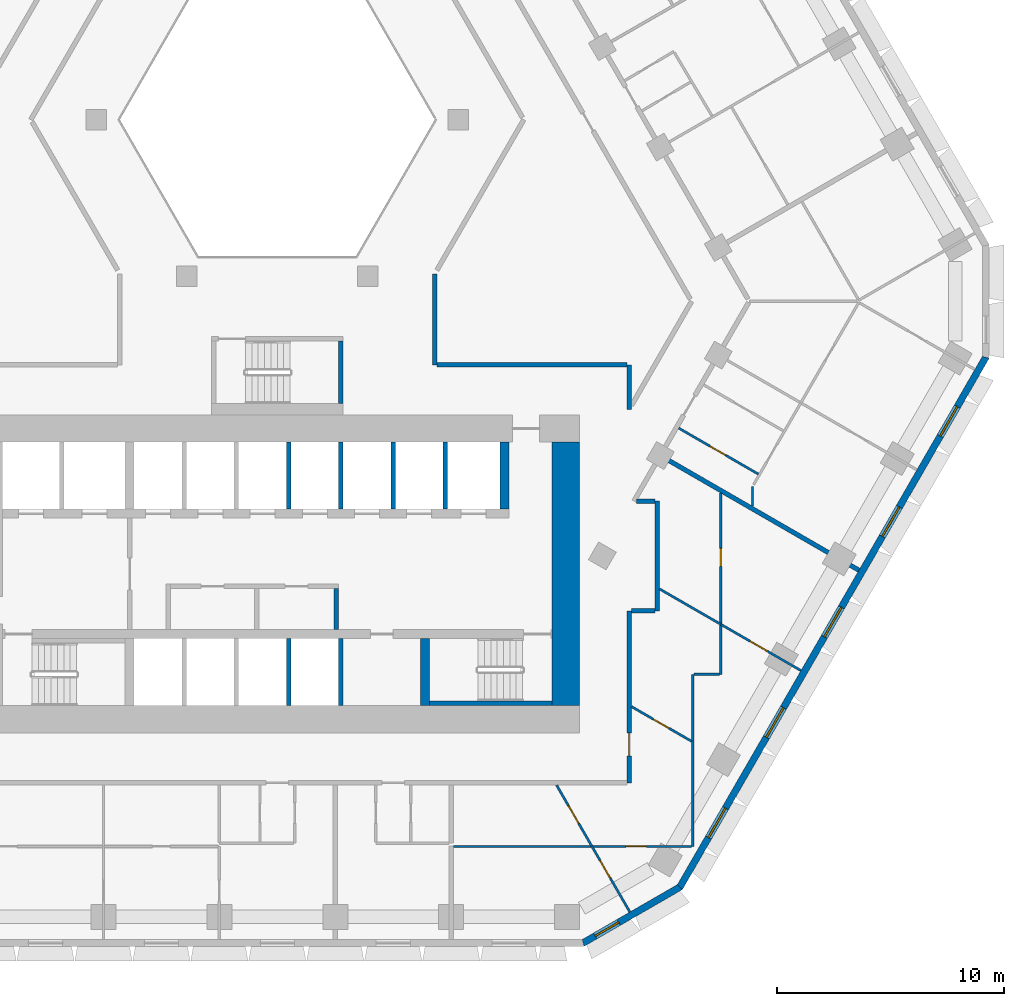
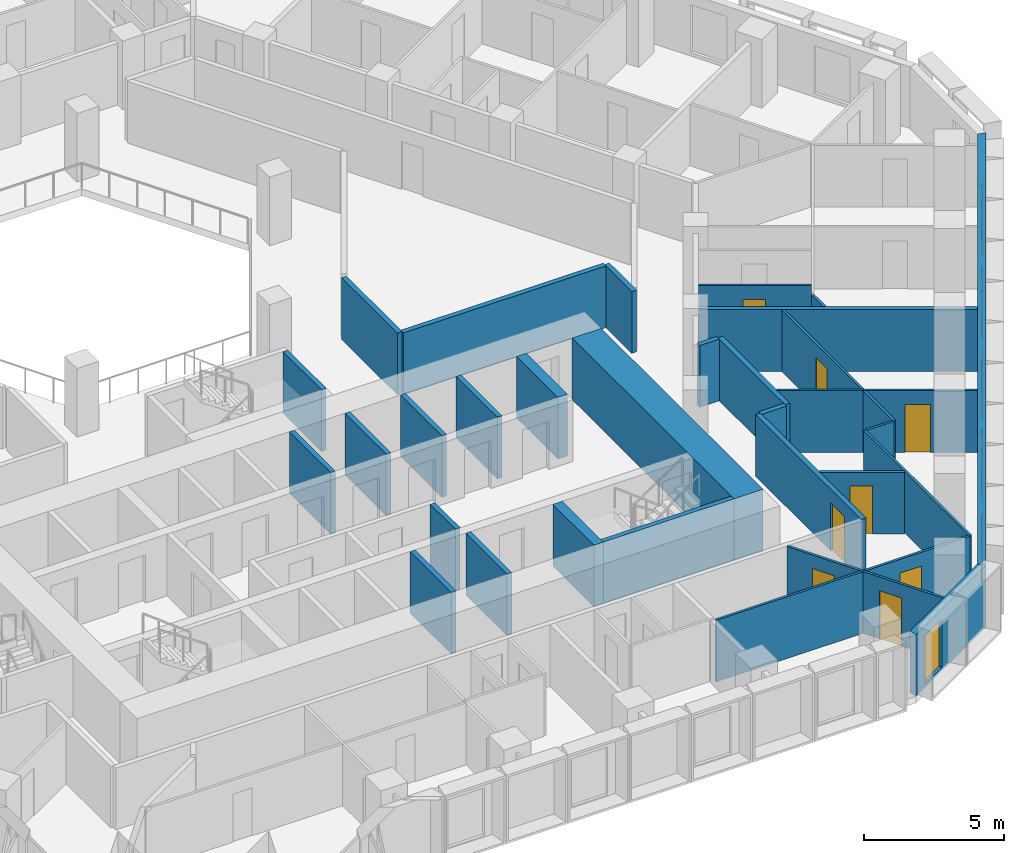
# One storey, part 6 of 16: 33 walls, 8 doors, 6 windows, 14 openings.
"""IFC4 building model written with IfcOpenShell, lengths in metres."""

from ifc_helpers import new_model, si_unit, direction, frame, frame_2d, origin, place, context, subcontext, project, spatial, polyline, rectangle, outline, extrude, material, layer, layer_set, type_object, element, fill, save


model = new_model("IFC4")

# Units and contexts
model_context = context("Model", 3, precision=1e-05, world=origin(), true_north=direction((0.0, 1.0)))
body_context = subcontext(model_context, "Body", "Model", "MODEL_VIEW")
ifc_project = project(units=[si_unit("LENGTHUNIT", "METRE"), si_unit("AREAUNIT", "SQUARE_METRE"), si_unit("VOLUMEUNIT", "CUBIC_METRE"), si_unit("PLANEANGLEUNIT", "RADIAN"), si_unit("MASSUNIT", "GRAM", prefix="KILO")], contexts=[model_context])

# Site, building, storey
site_placement = place(None, origin())
site = spatial("IfcSite", under=ifc_project, at=site_placement, CompositionType="ELEMENT")
building_placement = place(site_placement, origin())
building = spatial("IfcBuilding", under=site, at=building_placement, Name="Beryl Residences", CompositionType="ELEMENT")
storey_placement = place(building_placement, frame((0.0, 0.0, 38.39990234375)))
storey = spatial("IfcBuildingStorey", under=building, at=storey_placement, Name="L11", CompositionType="ELEMENT", Elevation=38.39990234375)

# Wall, opening, window
ifc_material_1 = material(Name="Composite metal panel with mineral wool insulation")
ifc_layer_1 = layer(ifc_material_1, 0.300048828125)
ifc_layer_set_1 = layer_set([ifc_layer_1], Name="ES1 pale metal composite panel wall 300 mm")
wall_type_1 = type_object("IfcWallType", Name="ES1 pale metal composite panel wall 300 mm", PredefinedType="SOLIDWALL", material=ifc_layer_set_1)
wall_1_placement = place(storey_placement, frame((13.43505859375, -28.27001953125, 0.0), z_axis=(0.0, 0.0, 1.0), x_axis=(0.866010750942, 0.50002537861, 0.0)))
wall_1 = element("IfcWall", 1, at=wall_1_placement, inside=storey, type_object=wall_type_1, Name="ES1 external wall L11 S-SE", PredefinedType="SOLIDWALL", context=body_context, shape_type="SweptSolid", body=[
    extrude(outline(polyline([(0.0, -0.14990234375), (4.999755859375, -0.14990234375), (4.91943359375, 0.14990234375), (0.080322265625, 0.14990234375), (0.0, -0.14990234375)])), origin(), (0.0, 0.0, 1.0), 2.7001953125),
])
opening_1_placement = place(wall_1_placement, frame((0.64990234375, 0.0, 0.14990234375)))
opening_1 = element("IfcOpeningElement", 2, at=opening_1_placement, cuts=wall_1, Name="Opening W2", PredefinedType="OPENING", context=body_context, shape_type="SweptSolid", body=[
    extrude(rectangle(XDim=1.199951171875, YDim=2.10009765625, at=frame_2d((0.60009765625, 1.050048828125))), frame((0.0, 0.159912109375, 0.0), z_axis=(0.0, -1.0, 0.0), x_axis=(1.0, 0.0, 0.0)), (0.0, 0.0, 1.0), 0.320068359375),
])
ifc_material_2 = material(Name="Aluminium and clear glass", Category="aluminium")
window_type_1 = type_object("IfcWindowType", Name="W2 chamfer window 1200 x 2100 mm", PartitioningType="SINGLE_PANEL", PredefinedType="WINDOW", material=ifc_material_2)
window_1_placement = place(opening_1_placement, origin())
window_1 = element("IfcWindow", 3, at=window_1_placement, inside=storey, type_object=window_type_1, Name="W2 window L11 S-SE 1", OverallHeight=2.10009765625, OverallWidth=1.199951171875, PartitioningType="SINGLE_PANEL", PredefinedType="WINDOW", context=body_context, shape_type="SweptSolid", body=[
    extrude(rectangle(XDim=1.199951171875, YDim=2.10009765625, at=frame_2d((0.60009765625, 1.050048828125))), frame((0.0, 0.030029296875, 0.0), z_axis=(0.0, -1.0, 0.0), x_axis=(1.0, 0.0, 0.0)), (0.0, 0.0, 1.0), 0.06005859375),
])
fill(opening_1, window_1)

# Wall, openings, windows
wall_2_placement = place(storey_placement, frame((17.7099609375, -25.824951171875, 0.0), z_axis=(0.0, 0.0, 1.0), x_axis=(0.500001938803, 0.866024284413, 0.0)))
wall_2 = element("IfcWall", 4, at=wall_2_placement, inside=storey, type_object=wall_type_1, Name="ES1 external wall L11 SE", PredefinedType="SOLIDWALL", context=body_context, shape_type="SweptSolid", body=[
    extrude(outline(polyline([(0.0, -0.14990234375), (27.02001953125, -0.14990234375), (26.939697265625, 0.14990234375), (0.080322265625, 0.14990234375), (0.0, -0.14990234375)])), origin(), (0.0, 0.0, 1.0), 2.7001953125),
])
opening_2_placement = place(wall_2_placement, frame((2.552978515625, 0.0, 0.14990234375)))
opening_2 = element("IfcOpeningElement", 5, at=opening_2_placement, cuts=wall_2, Name="Opening W1", PredefinedType="OPENING", context=body_context, shape_type="SweptSolid", body=[
    extrude(rectangle(XDim=1.5, YDim=2.10009765625, at=frame_2d((0.75, 1.050048828125))), frame((0.0, 0.159912109375, 0.0), z_axis=(0.0, -1.0, 0.0), x_axis=(1.0, 0.0, 0.0)), (0.0, 0.0, 1.0), 0.320068359375),
])
opening_3_placement = place(wall_2_placement, frame((7.657958984375, 0.0, 0.14990234375)))
opening_3 = element("IfcOpeningElement", 6, at=opening_3_placement, cuts=wall_2, Name="Opening W1", PredefinedType="OPENING", context=body_context, shape_type="SweptSolid", body=[
    extrude(rectangle(XDim=1.5, YDim=2.10009765625, at=frame_2d((0.75, 1.050048828125))), frame((0.0, 0.159912109375, 0.0), z_axis=(0.0, -1.0, 0.0), x_axis=(1.0, 0.0, 0.0)), (0.0, 0.0, 1.0), 0.320068359375),
])
opening_4_placement = place(wall_2_placement, frame((12.760986328125, 0.0, 0.14990234375)))
opening_4 = element("IfcOpeningElement", 7, at=opening_4_placement, cuts=wall_2, Name="Opening W1", PredefinedType="OPENING", context=body_context, shape_type="SweptSolid", body=[
    extrude(rectangle(XDim=1.5, YDim=2.10009765625, at=frame_2d((0.75, 1.050048828125))), frame((0.0, 0.159912109375, 0.0), z_axis=(0.0, -1.0, 0.0), x_axis=(1.0, 0.0, 0.0)), (0.0, 0.0, 1.0), 0.320068359375),
])
opening_5_placement = place(wall_2_placement, frame((17.864990234375, 0.0, 0.14990234375)))
opening_5 = element("IfcOpeningElement", 8, at=opening_5_placement, cuts=wall_2, Name="Opening W1", PredefinedType="OPENING", context=body_context, shape_type="SweptSolid", body=[
    extrude(rectangle(XDim=1.5, YDim=2.10009765625, at=frame_2d((0.75, 1.050048828125))), frame((0.0, 0.159912109375, 0.0), z_axis=(0.0, -1.0, 0.0), x_axis=(1.0, 0.0, 0.0)), (0.0, 0.0, 1.0), 0.320068359375),
])
opening_6_placement = place(wall_2_placement, frame((22.968994140625, 0.0, 0.14990234375)))
opening_6 = element("IfcOpeningElement", 9, at=opening_6_placement, cuts=wall_2, Name="Opening W1", PredefinedType="OPENING", context=body_context, shape_type="SweptSolid", body=[
    extrude(rectangle(XDim=1.5, YDim=2.10009765625, at=frame_2d((0.75, 1.050048828125))), frame((0.0, 0.159912109375, 0.0), z_axis=(0.0, -1.0, 0.0), x_axis=(1.0, 0.0, 0.0)), (0.0, 0.0, 1.0), 0.320068359375),
])
ifc_material_3 = material(Name="Aluminium and clear glass", Category="aluminium")
window_type_2 = type_object("IfcWindowType", Name="W1 cell window 1500 x 2100 mm", PartitioningType="SINGLE_PANEL", PredefinedType="WINDOW", material=ifc_material_3)
window_2_placement = place(opening_2_placement, origin())
window_2 = element("IfcWindow", 10, at=window_2_placement, inside=storey, type_object=window_type_2, Name="W1 window L11 SE 2", OverallHeight=2.10009765625, OverallWidth=1.5, PartitioningType="SINGLE_PANEL", PredefinedType="WINDOW", context=body_context, shape_type="SweptSolid", body=[
    extrude(rectangle(XDim=1.5, YDim=2.10009765625, at=frame_2d((0.75, 1.050048828125))), frame((0.0, 0.030029296875, 0.0), z_axis=(0.0, -1.0, 0.0), x_axis=(1.0, 0.0, 0.0)), (0.0, 0.0, 1.0), 0.06005859375),
])
fill(opening_2, window_2)
window_3_placement = place(opening_3_placement, origin())
window_3 = element("IfcWindow", 11, at=window_3_placement, inside=storey, type_object=window_type_2, Name="W1 window L11 SE 4", OverallHeight=2.10009765625, OverallWidth=1.5, PartitioningType="SINGLE_PANEL", PredefinedType="WINDOW", context=body_context, shape_type="SweptSolid", body=[
    extrude(rectangle(XDim=1.5, YDim=2.10009765625, at=frame_2d((0.75, 1.050048828125))), frame((0.0, 0.030029296875, 0.0), z_axis=(0.0, -1.0, 0.0), x_axis=(1.0, 0.0, 0.0)), (0.0, 0.0, 1.0), 0.06005859375),
])
fill(opening_3, window_3)
window_4_placement = place(opening_4_placement, origin())
window_4 = element("IfcWindow", 12, at=window_4_placement, inside=storey, type_object=window_type_2, Name="W1 window L11 SE 6", OverallHeight=2.10009765625, OverallWidth=1.5, PartitioningType="SINGLE_PANEL", PredefinedType="WINDOW", context=body_context, shape_type="SweptSolid", body=[
    extrude(rectangle(XDim=1.5, YDim=2.10009765625, at=frame_2d((0.75, 1.050048828125))), frame((0.0, 0.030029296875, 0.0), z_axis=(0.0, -1.0, 0.0), x_axis=(1.0, 0.0, 0.0)), (0.0, 0.0, 1.0), 0.06005859375),
])
fill(opening_4, window_4)
window_5_placement = place(opening_5_placement, origin())
window_5 = element("IfcWindow", 13, at=window_5_placement, inside=storey, type_object=window_type_2, Name="W1 window L11 SE 8", OverallHeight=2.10009765625, OverallWidth=1.5, PartitioningType="SINGLE_PANEL", PredefinedType="WINDOW", context=body_context, shape_type="SweptSolid", body=[
    extrude(rectangle(XDim=1.5, YDim=2.10009765625, at=frame_2d((0.75, 1.050048828125))), frame((0.0, 0.030029296875, 0.0), z_axis=(0.0, -1.0, 0.0), x_axis=(1.0, 0.0, 0.0)), (0.0, 0.0, 1.0), 0.06005859375),
])
fill(opening_5, window_5)
window_6_placement = place(opening_6_placement, origin())
window_6 = element("IfcWindow", 14, at=window_6_placement, inside=storey, type_object=window_type_2, Name="W1 window L11 SE 10", OverallHeight=2.10009765625, OverallWidth=1.5, PartitioningType="SINGLE_PANEL", PredefinedType="WINDOW", context=body_context, shape_type="SweptSolid", body=[
    extrude(rectangle(XDim=1.5, YDim=2.10009765625, at=frame_2d((0.75, 1.050048828125))), frame((0.0, 0.030029296875, 0.0), z_axis=(0.0, -1.0, 0.0), x_axis=(1.0, 0.0, 0.0)), (0.0, 0.0, 1.0), 0.06005859375),
])
fill(opening_6, window_6)

# Wall, opening, door
ifc_material_4 = material(Name="Gypsum board partition on steel studs", Category="steel")
ifc_layer_2 = layer(ifc_material_4, 0.10009765625)
ifc_layer_set_2 = layer_set([ifc_layer_2], Name="PT1 partition 100 mm gypsum board on steel studs")
wall_type_2 = type_object("IfcWallType", Name="PT1 partition 100 mm gypsum board on steel studs", PredefinedType="PARTITIONING", material=ifc_layer_set_2)
wall_3_placement = place(storey_placement, frame((12.297119140625, -21.300048828125, 0.0), z_axis=(0.0, 0.0, 1.0), x_axis=(0.500004896655, -0.866022576681, 0.0)))
wall_3 = element("IfcWall", 15, at=wall_3_placement, inside=storey, type_object=wall_type_2, Name="Wall PT1 L11 003", PredefinedType="PARTITIONING", context=body_context, shape_type="SweptSolid", body=[
    extrude(rectangle(XDim=3.11767578125, YDim=0.10009765625, at=frame_2d((1.558837890625, 0.0))), origin(), (0.0, 0.0, 1.0), 2.7001953125),
])
opening_7_placement = place(wall_3_placement, frame((1.051025390625, 0.0, 0.0)))
opening_7 = element("IfcOpeningElement", 16, at=opening_7_placement, cuts=wall_3, Name="Opening D0436", PredefinedType="OPENING", context=body_context, shape_type="SweptSolid", body=[
    extrude(rectangle(XDim=0.89990234375, YDim=2.10009765625, at=frame_2d((0.449951171875, 1.050048828125))), frame((0.0, 0.06005859375, 0.0), z_axis=(0.0, -1.0, 0.0), x_axis=(1.0, 0.0, 0.0)), (0.0, 0.0, 1.0), 0.1201171875),
])
ifc_material_5 = material(Name="Timber door leaf", Category="wood")
door_type_1 = type_object("IfcDoorType", Name="D2 room door 900 x 2100 mm", OperationType="SINGLE_SWING_LEFT", PredefinedType="DOOR", material=ifc_material_5)
door_1_placement = place(opening_7_placement, origin())
door_1 = element("IfcDoor", 17, at=door_1_placement, inside=storey, type_object=door_type_1, Name="Door D0436 L11 001", OperationType="SINGLE_SWING_RIGHT", OverallHeight=2.10009765625, OverallWidth=0.89990234375, PredefinedType="DOOR", context=body_context, shape_type="SweptSolid", body=[
    extrude(rectangle(XDim=0.89990234375, YDim=2.10009765625, at=frame_2d((0.449951171875, 1.050048828125))), frame((0.0, 0.02490234375, 0.0), z_axis=(0.0, -1.0, 0.0), x_axis=(1.0, 0.0, 0.0)), (0.0, 0.0, 1.0), 0.050048828125),
])
fill(opening_7, door_1)

wall_4_placement = place(storey_placement, frame((15.60009765625, -17.845947265625, 0.0), z_axis=(0.0, 0.0, 1.0), x_axis=(0.866148385016, -0.499786929736, 0.0)))
wall_4 = element("IfcWall", 18, at=wall_4_placement, inside=storey, type_object=wall_type_2, Name="Wall PT1 L11 017", PredefinedType="PARTITIONING", context=body_context, shape_type="SweptSolid", body=[
    extrude(rectangle(XDim=3.059326171875, YDim=0.10009765625, at=frame_2d((1.52978515625, 0.0))), origin(), (0.0, 0.0, 1.0), 2.7001953125),
])
opening_8_placement = place(wall_4_placement, frame((1.10107421875, 0.0, 0.0)))
opening_8 = element("IfcOpeningElement", 19, at=opening_8_placement, cuts=wall_4, Name="Opening D0437", PredefinedType="OPENING", context=body_context, shape_type="SweptSolid", body=[
    extrude(rectangle(XDim=0.800048828125, YDim=2.10009765625, at=frame_2d((0.39990234375, 1.050048828125))), frame((0.0, 0.06005859375, 0.0), z_axis=(0.0, -1.0, 0.0), x_axis=(1.0, 0.0, 0.0)), (0.0, 0.0, 1.0), 0.1201171875),
])
ifc_material_6 = material(Name="Timber door leaf", Category="wood")
door_type_2 = type_object("IfcDoorType", Name="D3 bathroom door 800 x 2100 mm", OperationType="SINGLE_SWING_LEFT", PredefinedType="DOOR", material=ifc_material_6)
door_2_placement = place(opening_8_placement, origin())
door_2 = element("IfcDoor", 20, at=door_2_placement, inside=storey, type_object=door_type_2, Name="Door D0437 L11 001", OperationType="SINGLE_SWING_LEFT", OverallHeight=2.10009765625, OverallWidth=0.800048828125, PredefinedType="DOOR", context=body_context, shape_type="SweptSolid", body=[
    extrude(rectangle(XDim=0.800048828125, YDim=2.10009765625, at=frame_2d((0.39990234375, 1.050048828125))), frame((0.0, 0.02490234375, 0.0), z_axis=(0.0, -1.0, 0.0), x_axis=(1.0, 0.0, 0.0)), (0.0, 0.0, 1.0), 0.050048828125),
])
fill(opening_8, door_2)

# Wall
wall_5_placement = place(storey_placement, frame((16.827880859375, -12.660888671875, 0.0), z_axis=(0.0, 0.0, 1.0), x_axis=(0.866008246423, -0.500029716244, 0.0)))
element("IfcWall", 21, at=wall_5_placement, inside=storey, type_object=wall_type_2, Name="Wall PT1 L11 019", PredefinedType="PARTITIONING", context=body_context, shape_type="SweptSolid", body=[
    extrude(rectangle(XDim=3.117919921875, YDim=0.10009765625, at=frame_2d((1.55908203125, 0.0))), origin(), (0.0, 0.0, 1.0), 2.7001953125),
])

# Wall, opening, door
wall_6_placement = place(storey_placement, frame((17.677001953125, -5.58203125, 0.0), z_axis=(0.0, 0.0, 1.0), x_axis=(0.866015917575, -0.500016430238, 0.0)))
wall_6 = element("IfcWall", 22, at=wall_6_placement, inside=storey, type_object=wall_type_2, Name="Wall PT1 L11 020", PredefinedType="PARTITIONING", context=body_context, shape_type="SweptSolid", body=[
    extrude(rectangle(XDim=4.049560546875, YDim=0.10009765625, at=frame_2d((2.02490234375, 0.0))), origin(), (0.0, 0.0, 1.0), 2.7001953125),
])
opening_9_placement = place(wall_6_placement, frame((1.60009765625, 0.0, 0.0)))
opening_9 = element("IfcOpeningElement", 23, at=opening_9_placement, cuts=wall_6, Name="Opening D0442", PredefinedType="OPENING", context=body_context, shape_type="SweptSolid", body=[
    extrude(rectangle(XDim=0.800048828125, YDim=2.10009765625, at=frame_2d((0.39990234375, 1.050048828125))), frame((0.0, 0.06005859375, 0.0), z_axis=(0.0, -1.0, 0.0), x_axis=(1.0, 0.0, 0.0)), (0.0, 0.0, 1.0), 0.1201171875),
])
door_3_placement = place(opening_9_placement, origin())
door_3 = element("IfcDoor", 24, at=door_3_placement, inside=storey, type_object=door_type_2, Name="Door D0442 L11 001", OperationType="SINGLE_SWING_RIGHT", OverallHeight=2.10009765625, OverallWidth=0.800048828125, PredefinedType="DOOR", context=body_context, shape_type="SweptSolid", body=[
    extrude(rectangle(XDim=0.800048828125, YDim=2.10009765625, at=frame_2d((0.39990234375, 1.050048828125))), frame((0.0, 0.02490234375, 0.0), z_axis=(0.0, -1.0, 0.0), x_axis=(1.0, 0.0, 0.0)), (0.0, 0.0, 1.0), 0.050048828125),
])
fill(opening_9, door_3)

# Wall
wall_7_placement = place(storey_placement, frame((18.35009765625, -16.424072265625, 0.0), z_axis=(0.0, 0.0, 1.0), x_axis=(1.0, 0.0, 0.0)))
element("IfcWall", 25, at=wall_7_placement, inside=storey, type_object=wall_type_2, Name="Wall PT1 L11 029", PredefinedType="PARTITIONING", context=body_context, shape_type="SweptSolid", body=[
    extrude(rectangle(XDim=1.1279296875, YDim=0.10009765625, at=frame_2d((0.56396484375, 0.0))), origin(), (0.0, 0.0, 1.0), 2.7001953125),
])

# Wall, opening, door
wall_8_placement = place(storey_placement, frame((7.757080078125, -24.0, 0.0), z_axis=(0.0, 0.0, 1.0), x_axis=(1.0, 0.0, 0.0)))
wall_8 = element("IfcWall", 26, at=wall_8_placement, inside=storey, type_object=wall_type_2, Name="Wall PT1 L11 033", PredefinedType="PARTITIONING", context=body_context, shape_type="SweptSolid", body=[
    extrude(rectangle(XDim=10.492919921875, YDim=0.10009765625, at=frame_2d((5.24658203125, 0.0))), origin(), (0.0, 0.0, 1.0), 2.7001953125),
])
opening_10_placement = place(wall_8_placement, frame((7.593017578125, 0.0, 0.0)))
opening_10 = element("IfcOpeningElement", 27, at=opening_10_placement, cuts=wall_8, Name="Opening D0435", PredefinedType="OPENING", context=body_context, shape_type="SweptSolid", body=[
    extrude(rectangle(XDim=0.89990234375, YDim=2.10009765625, at=frame_2d((0.449951171875, 1.050048828125))), frame((0.0, 0.06005859375, 0.0), z_axis=(0.0, -1.0, 0.0), x_axis=(1.0, 0.0, 0.0)), (0.0, 0.0, 1.0), 0.1201171875),
])
door_4_placement = place(opening_10_placement, origin())
door_4 = element("IfcDoor", 28, at=door_4_placement, inside=storey, type_object=door_type_1, Name="Door D0435 L11 001", OperationType="SINGLE_SWING_LEFT", OverallHeight=2.10009765625, OverallWidth=0.89990234375, PredefinedType="DOOR", context=body_context, shape_type="SweptSolid", body=[
    extrude(rectangle(XDim=0.89990234375, YDim=2.10009765625, at=frame_2d((0.449951171875, 1.050048828125))), frame((0.0, 0.02490234375, 0.0), z_axis=(0.0, -1.0, 0.0), x_axis=(1.0, 0.0, 0.0)), (0.0, 0.0, 1.0), 0.050048828125),
])
fill(opening_10, door_4)

# Wall
wall_9_placement = place(storey_placement, frame((18.300048828125, -24.0, 0.0), z_axis=(0.0, 0.0, 1.0), x_axis=(0.0, 1.0, 0.0)))
element("IfcWall", 29, at=wall_9_placement, inside=storey, type_object=wall_type_2, Name="Wall PT1 L11 046", PredefinedType="PARTITIONING", context=body_context, shape_type="SweptSolid", body=[
    extrude(rectangle(XDim=7.575927734375, YDim=0.10009765625, at=frame_2d((3.7880859375, 0.0))), origin(), (0.0, 0.0, 1.0), 2.7001953125),
])

# Wall, opening, door
wall_10_placement = place(storey_placement, frame((19.528076171875, -16.424072265625, 0.0), z_axis=(0.0, 0.0, 1.0), x_axis=(0.0, 1.0, 0.0)))
wall_10 = element("IfcWall", 30, at=wall_10_placement, inside=storey, type_object=wall_type_2, Name="Wall PT1 L11 047", PredefinedType="PARTITIONING", context=body_context, shape_type="SweptSolid", body=[
    extrude(rectangle(XDim=7.982177734375, YDim=0.10009765625, at=frame_2d((3.9912109375, 0.0))), origin(), (0.0, 0.0, 1.0), 2.7001953125),
])
opening_11_placement = place(wall_10_placement, frame((4.75, 0.0, 0.0)))
opening_11 = element("IfcOpeningElement", 31, at=opening_11_placement, cuts=wall_10, Name="Opening D0440", PredefinedType="OPENING", context=body_context, shape_type="SweptSolid", body=[
    extrude(rectangle(XDim=0.800048828125, YDim=2.10009765625, at=frame_2d((0.39990234375, 1.050048828125))), frame((0.0, 0.06005859375, 0.0), z_axis=(0.0, -1.0, 0.0), x_axis=(1.0, 0.0, 0.0)), (0.0, 0.0, 1.0), 0.1201171875),
])
door_5_placement = place(opening_11_placement, origin())
door_5 = element("IfcDoor", 32, at=door_5_placement, inside=storey, type_object=door_type_2, Name="Door D0440 L11 001", OperationType="SINGLE_SWING_RIGHT", OverallHeight=2.10009765625, OverallWidth=0.800048828125, PredefinedType="DOOR", context=body_context, shape_type="SweptSolid", body=[
    extrude(rectangle(XDim=0.800048828125, YDim=2.10009765625, at=frame_2d((0.39990234375, 1.050048828125))), frame((0.0, 0.02490234375, 0.0), z_axis=(0.0, -1.0, 0.0), x_axis=(1.0, 0.0, 0.0)), (0.0, 0.0, 1.0), 0.050048828125),
])
fill(opening_11, door_5)

# Wall
wall_11_placement = place(storey_placement, frame((20.927978515625, -9.02001953125, 0.0), z_axis=(0.0, 0.0, 1.0), x_axis=(0.0, 1.0, 0.0)))
element("IfcWall", 33, at=wall_11_placement, inside=storey, type_object=wall_type_2, Name="Wall PT1 L11 048", PredefinedType="PARTITIONING", context=body_context, shape_type="SweptSolid", body=[
    extrude(rectangle(XDim=0.869140625, YDim=0.10009765625, at=frame_2d((0.4345703125, 0.0))), origin(), (0.0, 0.0, 1.0), 2.7001953125),
])

# Wall, opening, door
wall_12_placement = place(storey_placement, frame((13.85595703125, -24.0, 0.0), z_axis=(0.0, 0.0, 1.0), x_axis=(0.50010451262, -0.865965054986, 0.0)))
wall_12 = element("IfcWall", 34, at=wall_12_placement, inside=storey, type_object=wall_type_2, Name="Wall PT1 L11 072", PredefinedType="PARTITIONING", context=body_context, shape_type="SweptSolid", body=[
    extrude(rectangle(XDim=3.337158203125, YDim=0.10009765625, at=frame_2d((1.66845703125, 0.0))), origin(), (0.0, 0.0, 1.0), 2.7001953125),
])
opening_12_placement = place(wall_12_placement, frame((0.718017578125, 0.0, 0.0)))
opening_12 = element("IfcOpeningElement", 35, at=opening_12_placement, cuts=wall_12, Name="Opening D0439", PredefinedType="OPENING", context=body_context, shape_type="SweptSolid", body=[
    extrude(rectangle(XDim=0.89990234375, YDim=2.10009765625, at=frame_2d((0.449951171875, 1.050048828125))), frame((0.0, 0.06005859375, 0.0), z_axis=(0.0, -1.0, 0.0), x_axis=(1.0, 0.0, 0.0)), (0.0, 0.0, 1.0), 0.1201171875),
])
door_6_placement = place(opening_12_placement, origin())
door_6 = element("IfcDoor", 36, at=door_6_placement, inside=storey, type_object=door_type_1, Name="Door D0439 L11 001", OperationType="SINGLE_SWING_LEFT", OverallHeight=2.10009765625, OverallWidth=0.89990234375, PredefinedType="DOOR", context=body_context, shape_type="SweptSolid", body=[
    extrude(rectangle(XDim=0.89990234375, YDim=2.10009765625, at=frame_2d((0.449951171875, 1.050048828125))), frame((0.0, 0.02490234375, 0.0), z_axis=(0.0, -1.0, 0.0), x_axis=(1.0, 0.0, 0.0)), (0.0, 0.0, 1.0), 0.050048828125),
])
fill(opening_12, door_6)

wall_13_placement = place(storey_placement, frame((19.528076171875, -14.219970703125, 0.0), z_axis=(0.0, 0.0, 1.0), x_axis=(0.866039047082, -0.499976368371, 0.0)))
wall_13 = element("IfcWall", 37, at=wall_13_placement, inside=storey, type_object=wall_type_2, Name="Wall PT1 L11 073", PredefinedType="PARTITIONING", context=body_context, shape_type="SweptSolid", body=[
    extrude(rectangle(XDim=4.078369140625, YDim=0.10009765625, at=frame_2d((2.0390625, 0.0))), origin(), (0.0, 0.0, 1.0), 2.7001953125),
])
opening_13_placement = place(wall_13_placement, frame((1.489013671875, 0.0, 0.0)))
opening_13 = element("IfcOpeningElement", 38, at=opening_13_placement, cuts=wall_13, Name="Opening D0438", PredefinedType="OPENING", context=body_context, shape_type="SweptSolid", body=[
    extrude(rectangle(XDim=0.89990234375, YDim=2.10009765625, at=frame_2d((0.449951171875, 1.050048828125))), frame((0.0, 0.06005859375, 0.0), z_axis=(0.0, -1.0, 0.0), x_axis=(1.0, 0.0, 0.0)), (0.0, 0.0, 1.0), 0.1201171875),
])
door_7_placement = place(opening_13_placement, origin())
door_7 = element("IfcDoor", 39, at=door_7_placement, inside=storey, type_object=door_type_1, Name="Door D0438 L11 001", OperationType="SINGLE_SWING_RIGHT", OverallHeight=2.10009765625, OverallWidth=0.89990234375, PredefinedType="DOOR", context=body_context, shape_type="SweptSolid", body=[
    extrude(rectangle(XDim=0.89990234375, YDim=2.10009765625, at=frame_2d((0.449951171875, 1.050048828125))), frame((0.0, 0.02490234375, 0.0), z_axis=(0.0, -1.0, 0.0), x_axis=(1.0, 0.0, 0.0)), (0.0, 0.0, 1.0), 0.050048828125),
])
fill(opening_13, door_7)

# Walls
ifc_material_7 = material(Name="Concrete masonry", Category="masonry")
ifc_layer_3 = layer(ifc_material_7, 0.199951171875)
ifc_layer_set_3 = layer_set([ifc_layer_3], Name="PT13 lobby wall 200 mm")
wall_type_3 = type_object("IfcWallType", Name="PT13 lobby wall 200 mm", PredefinedType="PARTITIONING", material=ifc_layer_set_3)
wall_14_placement = place(storey_placement, frame((2.60009765625, -14.449951171875, 0.0), z_axis=(0.0, 0.0, 1.0), x_axis=(0.0, 1.0, 0.0)))
element("IfcWall", 40, at=wall_14_placement, inside=storey, type_object=wall_type_3, Name="Lobby wall 16", PredefinedType="PARTITIONING", context=body_context, shape_type="SweptSolid", body=[
    extrude(rectangle(XDim=1.800048828125, YDim=0.199951171875, at=frame_2d((0.89990234375, 0.0))), origin(), (0.0, 0.0, 1.0), 2.7001953125),
])
ifc_material_8 = material(Name="Acoustic double stud gypsum board wall")
ifc_layer_4 = layer(ifc_material_8, 0.199951171875)
ifc_layer_set_4 = layer_set([ifc_layer_4], Name="PT3 party wall 200 mm acoustic double stud")
wall_type_4 = type_object("IfcWallType", Name="PT3 party wall 200 mm acoustic double stud", PredefinedType="PARTITIONING", material=ifc_layer_set_4)
wall_15_placement = place(storey_placement, frame((16.950927734375, -6.839111328125, 0.0), z_axis=(0.0, 0.0, 1.0), x_axis=(0.866022959057, -0.500004234368, 0.0)))
element("IfcWall", 41, at=wall_15_placement, inside=storey, type_object=wall_type_4, Name="Wall PT3 L11 011", PredefinedType="PARTITIONING", context=body_context, shape_type="SweptSolid", body=[
    extrude(rectangle(XDim=10.0, YDim=0.199951171875, at=frame_2d((5.0, 0.0))), origin(), (0.0, 0.0, 1.0), 2.7001953125),
])
ifc_material_9 = material(Name="Double stud gypsum board wall")
ifc_layer_5 = layer(ifc_material_9, 0.199951171875)
ifc_layer_set_5 = layer_set([ifc_layer_5], Name="PT4 corridor wall 200 mm double stud")
wall_type_5 = type_object("IfcWallType", Name="PT4 corridor wall 200 mm double stud", PredefinedType="PARTITIONING", material=ifc_layer_set_5)
wall_16_placement = place(storey_placement, frame((15.822021484375, -8.7939453125, 0.0), z_axis=(0.0, 0.0, 1.0), x_axis=(1.0, 0.0, 0.0)))
element("IfcWall", 42, at=wall_16_placement, inside=storey, type_object=wall_type_5, Name="Wall PT4 L11 010", PredefinedType="PARTITIONING", context=body_context, shape_type="SweptSolid", body=[
    extrude(rectangle(XDim=0.805908203125, YDim=0.199951171875, at=frame_2d((0.40283203125, 0.0))), origin(), (0.0, 0.0, 1.0), 2.7001953125),
])
wall_17_placement = place(storey_placement, frame((15.60009765625, -13.6240234375, 0.0), z_axis=(0.0, 0.0, 1.0), x_axis=(1.0, 0.0, 0.0)))
element("IfcWall", 43, at=wall_17_placement, inside=storey, type_object=wall_type_5, Name="Wall PT4 L11 011", PredefinedType="PARTITIONING", context=body_context, shape_type="SweptSolid", body=[
    extrude(rectangle(XDim=1.02783203125, YDim=0.199951171875, at=frame_2d((0.513916015625, 0.0))), origin(), (0.0, 0.0, 1.0), 2.7001953125),
])
wall_18_placement = place(storey_placement, frame((7.028076171875, -2.800048828125, 0.0), z_axis=(0.0, 0.0, 1.0), x_axis=(1.0, 0.0, 0.0)))
element("IfcWall", 44, at=wall_18_placement, inside=storey, type_object=wall_type_5, Name="Wall PT4 L11 015", PredefinedType="PARTITIONING", context=body_context, shape_type="SweptSolid", body=[
    extrude(rectangle(XDim=8.371826171875, YDim=0.199951171875, at=frame_2d((4.18603515625, 0.0))), origin(), (0.0, 0.0, 1.0), 2.7001953125),
])
wall_19_placement = place(storey_placement, frame((6.927978515625, -2.800048828125, 0.0), z_axis=(0.0, 0.0, 1.0), x_axis=(0.0, 1.0, 0.0)))
element("IfcWall", 45, at=wall_19_placement, inside=storey, type_object=wall_type_5, Name="Wall PT4 L11 025", PredefinedType="PARTITIONING", context=body_context, shape_type="SweptSolid", body=[
    extrude(rectangle(XDim=4.0, YDim=0.199951171875, at=frame_2d((2.0, 0.0))), origin(), (0.0, 0.0, 1.0), 2.7001953125),
])

# Wall, opening, door
wall_20_placement = place(storey_placement, frame((15.5, -21.198974609375, 0.0), z_axis=(0.0, 0.0, 1.0), x_axis=(0.0, 1.0, 0.0)))
wall_20 = element("IfcWall", 46, at=wall_20_placement, inside=storey, type_object=wall_type_5, Name="Wall PT4 L11 026", PredefinedType="PARTITIONING", context=body_context, shape_type="SweptSolid", body=[
    extrude(rectangle(XDim=7.574951171875, YDim=0.199951171875, at=frame_2d((3.78759765625, 0.0))), origin(), (0.0, 0.0, 1.0), 2.7001953125),
])
opening_14_placement = place(wall_20_placement, frame((1.18798828125, 0.0, 0.0)))
opening_14 = element("IfcOpeningElement", 47, at=opening_14_placement, cuts=wall_20, Name="Opening D0434", PredefinedType="OPENING", context=body_context, shape_type="SweptSolid", body=[
    extrude(rectangle(XDim=1.0, YDim=2.10009765625, at=frame_2d((0.5, 1.050048828125))), frame((0.0, 0.10986328125, 0.0), z_axis=(0.0, -1.0, 0.0), x_axis=(1.0, 0.0, 0.0)), (0.0, 0.0, 1.0), 0.219970703125),
])
ifc_material_10 = material(Name="Timber door leaf", Category="wood")
door_type_3 = type_object("IfcDoorType", Name="D1 flat entrance door 1000 x 2100 mm", OperationType="SINGLE_SWING_LEFT", PredefinedType="DOOR", material=ifc_material_10)
door_8_placement = place(opening_14_placement, origin())
door_8 = element("IfcDoor", 48, at=door_8_placement, inside=storey, type_object=door_type_3, Name="Door D0434 L11 001", OperationType="SINGLE_SWING_RIGHT", OverallHeight=2.10009765625, OverallWidth=1.0, PredefinedType="DOOR", context=body_context, shape_type="SweptSolid", body=[
    extrude(rectangle(XDim=1.0, YDim=2.10009765625, at=frame_2d((0.5, 1.050048828125))), frame((0.0, 0.02490234375, 0.0), z_axis=(0.0, -1.0, 0.0), x_axis=(1.0, 0.0, 0.0)), (0.0, 0.0, 1.0), 0.050048828125),
])
fill(opening_14, door_8)

# Walls
wall_21_placement = place(storey_placement, frame((15.5, -4.751953125, 0.0), z_axis=(0.0, 0.0, 1.0), x_axis=(0.0, 1.0, 0.0)))
element("IfcWall", 49, at=wall_21_placement, inside=storey, type_object=wall_type_5, Name="Wall PT4 L11 027", PredefinedType="PARTITIONING", context=body_context, shape_type="SweptSolid", body=[
    extrude(rectangle(XDim=1.951904296875, YDim=0.199951171875, at=frame_2d((0.97607421875, 0.0))), origin(), (0.0, 0.0, 1.0), 2.7001953125),
])
wall_22_placement = place(storey_placement, frame((16.72802734375, -13.6240234375, 0.0), z_axis=(0.0, 0.0, 1.0), x_axis=(0.0, 1.0, 0.0)))
element("IfcWall", 50, at=wall_22_placement, inside=storey, type_object=wall_type_5, Name="Wall PT4 L11 028", PredefinedType="PARTITIONING", context=body_context, shape_type="SweptSolid", body=[
    extrude(rectangle(XDim=4.830078125, YDim=0.199951171875, at=frame_2d((2.4150390625, 0.0))), origin(), (0.0, 0.0, 1.0), 2.7001953125),
])
ifc_material_11 = material(Name="Concrete C40/50", Category="concrete")
ifc_layer_6 = layer(ifc_material_11, 0.199951171875)
ifc_layer_set_6 = layer_set([ifc_layer_6], Name="PT5 stair enclosure wall 200 mm reinforced concrete C40/50")
wall_type_6 = type_object("IfcWallType", Name="PT5 stair enclosure wall 200 mm reinforced concrete C40/50", PredefinedType="SOLIDWALL", material=ifc_layer_set_6)
wall_23_placement = place(storey_placement, frame((2.800048828125, -4.5, 0.0), z_axis=(0.0, 0.0, 1.0), x_axis=(0.0, 1.0, 0.0)))
element("IfcWall", 51, at=wall_23_placement, inside=storey, type_object=wall_type_6, Name="Wall PT5 L11 003", PredefinedType="SOLIDWALL", context=body_context, shape_type="SweptSolid", body=[
    extrude(rectangle(XDim=2.75, YDim=0.199951171875, at=frame_2d((1.375, 0.0))), origin(), (0.0, 0.0, 1.0), 2.7001953125),
])
wall_24_placement = place(storey_placement, frame((6.699951171875, -17.699951171875, 0.0), z_axis=(0.0, 0.0, 1.0), x_axis=(1.0, 0.0, 0.0)))
element("IfcWall", 52, at=wall_24_placement, inside=storey, type_object=wall_type_6, Name="Stair wall 20", PredefinedType="SOLIDWALL", context=body_context, shape_type="SweptSolid", body=[
    extrude(rectangle(XDim=5.400146484375, YDim=0.199951171875, at=frame_2d((2.7001953125, 0.0))), origin(), (0.0, 0.0, 1.0), 2.7001953125),
])
ifc_material_12 = material(Name="Concrete C40/50", Category="concrete")
ifc_layer_7 = layer(ifc_material_12, 0.199951171875)
ifc_layer_set_7 = layer_set([ifc_layer_7], Name="PT6 lift shaft wall 200 mm reinforced concrete C40/50")
wall_type_7 = type_object("IfcWallType", Name="PT6 lift shaft wall 200 mm reinforced concrete C40/50", PredefinedType="SOLIDWALL", material=ifc_layer_set_7)
for number, where, z_axis, x_axis, name in (
    (53, (0.5, -17.800048828125, 0.0), (0.0, 0.0, 1.0), (0.0, 1.0, 0.0), "Lift shaft wall 14"),
    (54, (0.5, -9.14990234375, 0.0), (0.0, 0.0, 1.0), (0.0, 1.0, 0.0), "Lift shaft wall 15"),
    (55, (2.800048828125, -17.800048828125, 0.0), (0.0, 0.0, 1.0), (0.0, 1.0, 0.0), "Lift shaft wall 17"),
    (56, (2.800048828125, -9.14990234375, 0.0), (0.0, 0.0, 1.0), (0.0, 1.0, 0.0), "Lift shaft wall 18"),
    (57, (5.10009765625, -9.14990234375, 0.0), (0.0, 0.0, 1.0), (0.0, 1.0, 0.0), "Lift shaft wall 19"),
    (58, (7.39990234375, -9.14990234375, 0.0), (0.0, 0.0, 1.0), (0.0, 1.0, 0.0), "Lift shaft wall 21"),
):
    element("IfcWall", number, at=place(storey_placement, frame(where, z_axis=z_axis, x_axis=x_axis)), inside=storey, type_object=wall_type_7, Name=name, PredefinedType="SOLIDWALL", context=body_context, shape_type="SweptSolid", body=[
        extrude(rectangle(XDim=2.949951171875, YDim=0.199951171875, at=frame_2d((1.47509765625, 0.0))), origin(), (0.0, 0.0, 1.0), 2.7001953125),
    ])
ifc_material_13 = material(Name="Concrete C80/95", Category="concrete")
ifc_layer_8 = layer(ifc_material_13, 1.199951171875)
ifc_layer_set_8 = layer_set([ifc_layer_8], Name="SW1 core outer wall 1200 mm C80/95")
wall_type_8 = type_object("IfcWallType", Name="SW1 core outer wall 1200 mm C80/95", PredefinedType="SHEAR", material=ifc_layer_set_8)
wall_25_placement = place(storey_placement, frame((12.699951171875, -17.800048828125, 0.0), z_axis=(0.0, 0.0, 1.0), x_axis=(0.0, 1.0, 0.0)))
element("IfcWall", 59, at=wall_25_placement, inside=storey, type_object=wall_type_8, Name="Core wall E L11", PredefinedType="SHEAR", context=body_context, shape_type="SweptSolid", body=[
    extrude(rectangle(XDim=11.60009765625, YDim=1.199951171875, at=frame_2d((5.800048828125, 0.0))), origin(), (0.0, 0.0, 1.0), 2.7001953125),
])
ifc_material_14 = material(Name="Concrete C80/95", Category="concrete")
ifc_layer_9 = layer(ifc_material_14, 0.39990234375)
ifc_layer_set_9 = layer_set([ifc_layer_9], Name="SW6 core internal wall 400 mm C80/95")
wall_type_9 = type_object("IfcWallType", Name="SW6 core internal wall 400 mm C80/95", PredefinedType="SHEAR", material=ifc_layer_set_9)
for number, where, z_axis, x_axis, name in (
    (60, (6.5, -17.800048828125, 0.0), (0.0, 0.0, 1.0), (0.0, 1.0, 0.0), "Core wall XS2 L11"),
    (61, (10.0, -9.14990234375, 0.0), (0.0, 0.0, 1.0), (0.0, 1.0, 0.0), "Core wall XN2 L11"),
):
    element("IfcWall", number, at=place(storey_placement, frame(where, z_axis=z_axis, x_axis=x_axis)), inside=storey, type_object=wall_type_9, Name=name, PredefinedType="SHEAR", context=body_context, shape_type="SweptSolid", body=[
        extrude(rectangle(XDim=2.949951171875, YDim=0.39990234375, at=frame_2d((1.47509765625, 0.0))), origin(), (0.0, 0.0, 1.0), 2.7001953125),
    ])

save(model, "model.ifc")
